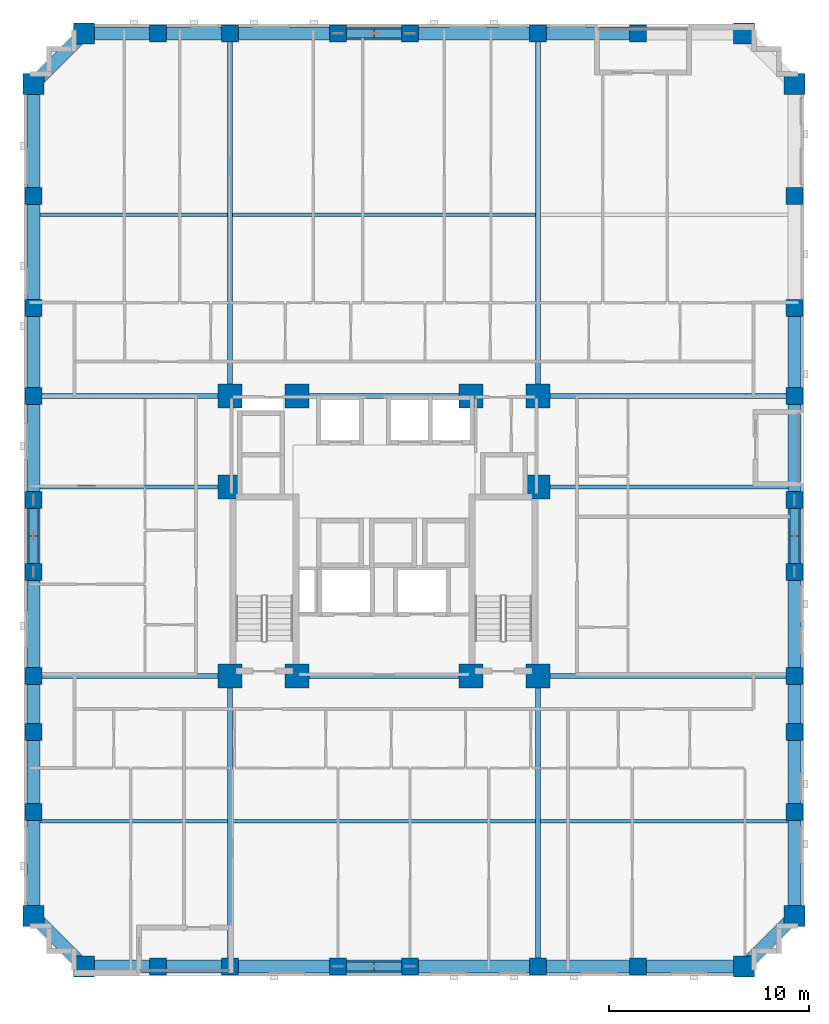
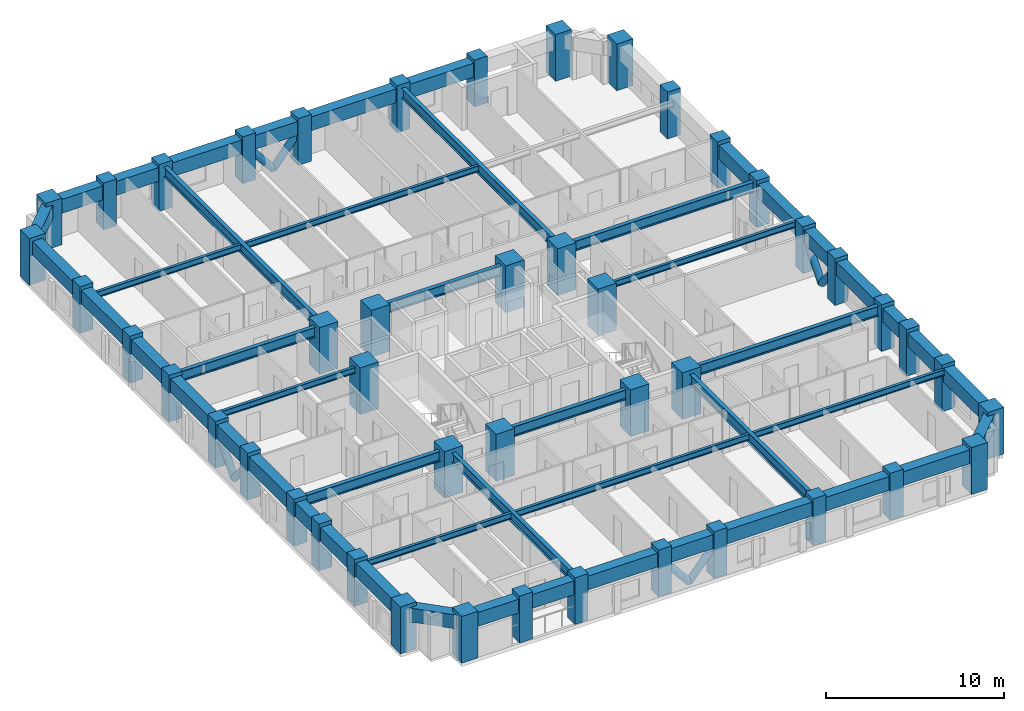
# One storey, part 1 of 14: 49 beams, 46 columns, 8 members.
"""IFC4 building model written with IfcOpenShell, lengths in metres."""

from ifc_helpers import new_model, si_unit, derived_unit, direction, frame, origin, origin_2d, place, context, subcontext, project, spatial, rectangle, hollow_circle, i_section, extrude, material, material_profile, profile_set, type_object, element, save


model = new_model("IFC4")

# Units and contexts
model_context = context("Model", 3, precision=1e-05, world=origin(), true_north=direction((0.0, 1.0)))
body_context = subcontext(model_context, "Body", "Model", "MODEL_VIEW")
ifc_project = project(units=[si_unit("LENGTHUNIT", "METRE"), si_unit("AREAUNIT", "SQUARE_METRE"), si_unit("VOLUMEUNIT", "CUBIC_METRE"), si_unit("PLANEANGLEUNIT", "RADIAN"), si_unit("MASSUNIT", "GRAM", prefix="KILO"), derived_unit("THERMALTRANSMITTANCEUNIT", [(si_unit("MASSUNIT", "GRAM", prefix="KILO"), 1), (si_unit("TIMEUNIT", "SECOND"), -3), (si_unit("THERMODYNAMICTEMPERATUREUNIT", "KELVIN"), -1)])], contexts=[model_context])

# Site, building, storey
site_placement = place(None, origin())
site = spatial("IfcSite", under=ifc_project, at=site_placement, CompositionType="ELEMENT")
building_placement = place(site_placement, origin())
building = spatial("IfcBuilding", under=site, at=building_placement, Name="Korrvale Station Residences", CompositionType="ELEMENT")
storey_placement = place(building_placement, frame((0.0, 0.0, 51.39990234375)))
storey = spatial("IfcBuildingStorey", under=building, at=storey_placement, Name="L13", CompositionType="ELEMENT", Elevation=51.39990234375)

# Columns
ifc_material_1 = material(Name="Concrete C70/85", Category="concrete")
ifc_material_profile_1 = material_profile(ifc_material_1, rectangle(XDim=1.050048828125, YDim=1.050048828125, at=origin_2d()), Name="RC1050x1050")
ifc_profile_set_1 = profile_set([ifc_material_profile_1], Name="Concrete C70/85")
column_type_1 = type_object("IfcColumnType", Name="COL-C-RC1050x1050-C7085", PredefinedType="COLUMN", material=ifc_profile_set_1)
for number, where, z_axis, x_axis, name in (
    (1, (10.5, 0.47998046875, 0.0), (0.0, 0.0, 1.0), (1.0, 0.0, 0.0), "L13 Bundled-Tube South Column 01"),
    (2, (43.5, 0.47998046875, 0.0), (0.0, 0.0, 1.0), (1.0, 0.0, 0.0), "L13 Bundled-Tube South Column 08"),
    (3, (10.5, 47.1201171875, 0.0), (0.0, 0.0, 1.0), (1.0, 0.0, 0.0), "L13 Bundled-Tube North Column 09"),
    (4, (43.5, 47.1201171875, 0.0), (0.0, 0.0, 1.0), (1.0, 0.0, 0.0), "L13 Bundled-Tube North Column 16"),
    (5, (7.97998046875, 3.0, 0.0), (0.0, 0.0, 1.0), (1.0, 0.0, 0.0), "L13 Bundled-Tube West Column 17"),
    (6, (7.97998046875, 44.60009765625, 0.0), (0.0, 0.0, 1.0), (1.0, 0.0, 0.0), "L13 Bundled-Tube West Column 26"),
    (7, (46.02001953125, 3.0, 0.0), (0.0, 0.0, 1.0), (1.0, 0.0, 0.0), "L13 Bundled-Tube East Column 27"),
    (8, (46.02001953125, 44.60009765625, 0.0), (0.0, 0.0, 1.0), (1.0, 0.0, 0.0), "L13 Bundled-Tube East Column 36"),
):
    element("IfcColumn", number, at=place(storey_placement, frame(where, z_axis=z_axis, x_axis=x_axis)), inside=storey, type_object=column_type_1, Name=name, PredefinedType="COLUMN", context=body_context, shape_type="SweptSolid", body=[
        extrude(rectangle(XDim=1.050048828125, YDim=1.050048828125, at=origin_2d()), origin(), (0.0, 0.0, 1.0), 3.2001953125),
    ])
ifc_material_profile_2 = material_profile(ifc_material_1, rectangle(XDim=1.199951171875, YDim=1.199951171875, at=origin_2d()), Name="RC1200x1200")
ifc_profile_set_2 = profile_set([ifc_material_profile_2], Name="Concrete C70/85")
column_type_2 = type_object("IfcColumnType", Name="COL-C-RC1200x1200-C7085", PredefinedType="COLUMN", material=ifc_profile_set_2)
for number, where, z_axis, x_axis, name in (
    (9, (17.800048828125, 15.0, 0.0), (0.0, 0.0, 1.0), (1.0, 0.0, 0.0), "L13 Core Column 01"),
    (10, (21.14990234375, 15.0, 0.0), (0.0, 0.0, 1.0), (1.0, 0.0, 0.0), "L13 Core Column 02"),
    (11, (29.85009765625, 15.0, 0.0), (0.0, 0.0, 1.0), (1.0, 0.0, 0.0), "L13 Core Column 03"),
    (12, (33.199951171875, 15.0, 0.0), (0.0, 0.0, 1.0), (1.0, 0.0, 0.0), "L13 Core Column 04"),
    (13, (17.800048828125, 29.0, 0.0), (0.0, 0.0, 1.0), (1.0, 0.0, 0.0), "L13 Core Column 05"),
    (14, (21.14990234375, 29.0, 0.0), (0.0, 0.0, 1.0), (1.0, 0.0, 0.0), "L13 Core Column 06"),
    (15, (29.85009765625, 29.0, 0.0), (0.0, 0.0, 1.0), (1.0, 0.0, 0.0), "L13 Core Column 07"),
    (16, (33.199951171875, 29.0, 0.0), (0.0, 0.0, 1.0), (1.0, 0.0, 0.0), "L13 Core Column 08"),
    (17, (17.800048828125, 24.449951171875, 0.0), (0.0, 0.0, 1.0), (1.0, 0.0, 0.0), "L13 Core Column 09"),
    (18, (33.199951171875, 24.449951171875, 0.0), (0.0, 0.0, 1.0), (1.0, 0.0, 0.0), "L13 Core Column 10"),
):
    element("IfcColumn", number, at=place(storey_placement, frame(where, z_axis=z_axis, x_axis=x_axis)), inside=storey, type_object=column_type_2, Name=name, PredefinedType="COLUMN", context=body_context, shape_type="SweptSolid", body=[
        extrude(rectangle(XDim=1.199951171875, YDim=1.199951171875, at=origin_2d()), origin(), (0.0, 0.0, 1.0), 3.2001953125),
    ])
ifc_material_profile_3 = material_profile(ifc_material_1, rectangle(XDim=0.85009765625, YDim=0.85009765625, at=origin_2d()), Name="RC850x850")
ifc_profile_set_3 = profile_set([ifc_material_profile_3], Name="Concrete C70/85")
column_type_3 = type_object("IfcColumnType", Name="COL-C-RC850x850-C7085", PredefinedType="COLUMN", material=ifc_profile_set_3)
for number, where, z_axis, x_axis, name in (
    (19, (14.199951171875, 0.47998046875, 0.0), (0.0, 0.0, 1.0), (1.0, 0.0, 0.0), "L13 Bundled-Tube South Column 02"),
    (20, (17.800048828125, 0.47998046875, 0.0), (0.0, 0.0, 1.0), (1.0, 0.0, 0.0), "L13 Bundled-Tube South Column 03"),
    (21, (23.199951171875, 0.47998046875, 0.0), (0.0, 0.0, 1.0), (1.0, 0.0, 0.0), "L13 Bundled-Tube South Column 04"),
    (22, (26.800048828125, 0.47998046875, 0.0), (0.0, 0.0, 1.0), (1.0, 0.0, 0.0), "L13 Bundled-Tube South Column 05"),
    (23, (33.199951171875, 0.47998046875, 0.0), (0.0, 0.0, 1.0), (1.0, 0.0, 0.0), "L13 Bundled-Tube South Column 06"),
    (24, (38.199951171875, 0.47998046875, 0.0), (0.0, 0.0, 1.0), (1.0, 0.0, 0.0), "L13 Bundled-Tube South Column 07"),
    (25, (14.199951171875, 47.1201171875, 0.0), (0.0, 0.0, 1.0), (1.0, 0.0, 0.0), "L13 Bundled-Tube North Column 10"),
    (26, (17.800048828125, 47.1201171875, 0.0), (0.0, 0.0, 1.0), (1.0, 0.0, 0.0), "L13 Bundled-Tube North Column 11"),
    (27, (23.199951171875, 47.1201171875, 0.0), (0.0, 0.0, 1.0), (1.0, 0.0, 0.0), "L13 Bundled-Tube North Column 12"),
    (28, (26.800048828125, 47.1201171875, 0.0), (0.0, 0.0, 1.0), (1.0, 0.0, 0.0), "L13 Bundled-Tube North Column 13"),
    (29, (33.199951171875, 47.1201171875, 0.0), (0.0, 0.0, 1.0), (1.0, 0.0, 0.0), "L13 Bundled-Tube North Column 14"),
    (30, (38.199951171875, 47.1201171875, 0.0), (0.0, 0.0, 1.0), (1.0, 0.0, 0.0), "L13 Bundled-Tube North Column 15"),
    (31, (7.97998046875, 8.199951171875, 0.0), (0.0, 0.0, 1.0), (1.0, 0.0, 0.0), "L13 Bundled-Tube West Column 18"),
    (32, (7.97998046875, 12.199951171875, 0.0), (0.0, 0.0, 1.0), (1.0, 0.0, 0.0), "L13 Bundled-Tube West Column 19"),
    (33, (7.97998046875, 15.0, 0.0), (0.0, 0.0, 1.0), (1.0, 0.0, 0.0), "L13 Bundled-Tube West Column 20"),
    (34, (7.97998046875, 20.199951171875, 0.0), (0.0, 0.0, 1.0), (1.0, 0.0, 0.0), "L13 Bundled-Tube West Column 21"),
    (35, (7.97998046875, 23.800048828125, 0.0), (0.0, 0.0, 1.0), (1.0, 0.0, 0.0), "L13 Bundled-Tube West Column 22"),
    (36, (7.97998046875, 29.0, 0.0), (0.0, 0.0, 1.0), (1.0, 0.0, 0.0), "L13 Bundled-Tube West Column 23"),
    (37, (7.97998046875, 33.39990234375, 0.0), (0.0, 0.0, 1.0), (1.0, 0.0, 0.0), "L13 Bundled-Tube West Column 24"),
    (38, (7.97998046875, 39.0, 0.0), (0.0, 0.0, 1.0), (1.0, 0.0, 0.0), "L13 Bundled-Tube West Column 25"),
    (39, (46.02001953125, 8.199951171875, 0.0), (0.0, 0.0, 1.0), (1.0, 0.0, 0.0), "L13 Bundled-Tube East Column 28"),
    (40, (46.02001953125, 12.199951171875, 0.0), (0.0, 0.0, 1.0), (1.0, 0.0, 0.0), "L13 Bundled-Tube East Column 29"),
    (41, (46.02001953125, 15.0, 0.0), (0.0, 0.0, 1.0), (1.0, 0.0, 0.0), "L13 Bundled-Tube East Column 30"),
    (42, (46.02001953125, 20.199951171875, 0.0), (0.0, 0.0, 1.0), (1.0, 0.0, 0.0), "L13 Bundled-Tube East Column 31"),
    (43, (46.02001953125, 23.800048828125, 0.0), (0.0, 0.0, 1.0), (1.0, 0.0, 0.0), "L13 Bundled-Tube East Column 32"),
    (44, (46.02001953125, 29.0, 0.0), (0.0, 0.0, 1.0), (1.0, 0.0, 0.0), "L13 Bundled-Tube East Column 33"),
    (45, (46.02001953125, 33.39990234375, 0.0), (0.0, 0.0, 1.0), (1.0, 0.0, 0.0), "L13 Bundled-Tube East Column 34"),
    (46, (46.02001953125, 39.0, 0.0), (0.0, 0.0, 1.0), (1.0, 0.0, 0.0), "L13 Bundled-Tube East Column 35"),
):
    element("IfcColumn", number, at=place(storey_placement, frame(where, z_axis=z_axis, x_axis=x_axis)), inside=storey, type_object=column_type_3, Name=name, PredefinedType="COLUMN", context=body_context, shape_type="SweptSolid", body=[
        extrude(rectangle(XDim=0.85009765625, YDim=0.85009765625, at=origin_2d()), origin(), (0.0, 0.0, 1.0), 3.2001953125),
    ])

# Beams
ifc_material_2 = material(Name="Steel S355", Category="steel")
ifc_material_profile_4 = material_profile(ifc_material_2, i_section(OverallWidth=0.256103515625, OverallDepth=0.693115234375, WebThickness=0.014404296875, FlangeThickness=0.023681640625, FilletRadius=0.02197265625, at=origin_2d()), Name="W690x170")
ifc_profile_set_4 = profile_set([ifc_material_profile_4], Name="Steel S355")
beam_type_1 = type_object("IfcBeamType", Name="BM-BM-W690x170-S355", PredefinedType="BEAM", material=ifc_profile_set_4)
for number, where, z_axis, x_axis, name in (
    (47, (17.800048828125, 0.47998046875, 2.593505859375), (0.0, 1.0, 0.0), (-1.0, 0.0, 0.0), "L13 Bundled-Tube Web Girder 01"),
    (48, (33.199951171875, 0.47998046875, 2.593505859375), (0.0, 1.0, 0.0), (-1.0, 0.0, 0.0), "L13 Bundled-Tube Web Girder 02"),
):
    element("IfcBeam", number, at=place(storey_placement, frame(where, z_axis=z_axis, x_axis=x_axis)), inside=storey, type_object=beam_type_1, Name=name, PredefinedType="BEAM", context=body_context, shape_type="SweptSolid", body=[
        extrude(i_section(OverallWidth=0.256103515625, OverallDepth=0.693115234375, WebThickness=0.014404296875, FlangeThickness=0.023681640625, FilletRadius=0.02197265625, at=origin_2d()), origin(), (0.0, 0.0, 1.0), 14.52001953125),
    ])
for number, where, z_axis, x_axis, name in (
    (49, (17.800048828125, 29.0, 2.593505859375), (0.0, 1.0, 0.0), (-1.0, 0.0, 0.0), "L13 Bundled-Tube Web Girder 03"),
    (50, (33.199951171875, 29.0, 2.593505859375), (0.0, 1.0, 0.0), (-1.0, 0.0, 0.0), "L13 Bundled-Tube Web Girder 04"),
):
    element("IfcBeam", number, at=place(storey_placement, frame(where, z_axis=z_axis, x_axis=x_axis)), inside=storey, type_object=beam_type_1, Name=name, PredefinedType="BEAM", context=body_context, shape_type="SweptSolid", body=[
        extrude(i_section(OverallWidth=0.256103515625, OverallDepth=0.693115234375, WebThickness=0.014404296875, FlangeThickness=0.023681640625, FilletRadius=0.02197265625, at=origin_2d()), origin(), (0.0, 0.0, 1.0), 18.1201171875),
    ])
beam_1_placement = place(storey_placement, frame((7.97998046875, 15.0, 2.593505859375), z_axis=(1.0, 0.0, 0.0), x_axis=(0.0, 1.0, 0.0)))
element("IfcBeam", 51, at=beam_1_placement, inside=storey, type_object=beam_type_1, Name="L13 Bundled-Tube Web Girder 05", PredefinedType="BEAM", context=body_context, shape_type="SweptSolid", body=[
    extrude(i_section(OverallWidth=0.256103515625, OverallDepth=0.693115234375, WebThickness=0.014404296875, FlangeThickness=0.023681640625, FilletRadius=0.02197265625, at=origin_2d()), origin(), (0.0, 0.0, 1.0), 9.820068359375),
])
beam_2_placement = place(storey_placement, frame((33.199951171875, 15.0, 2.593505859375), z_axis=(1.0, 0.0, 0.0), x_axis=(0.0, 1.0, 0.0)))
element("IfcBeam", 52, at=beam_2_placement, inside=storey, type_object=beam_type_1, Name="L13 Bundled-Tube Web Girder 06", PredefinedType="BEAM", context=body_context, shape_type="SweptSolid", body=[
    extrude(i_section(OverallWidth=0.256103515625, OverallDepth=0.693115234375, WebThickness=0.014404296875, FlangeThickness=0.023681640625, FilletRadius=0.02197265625, at=origin_2d()), origin(), (0.0, 0.0, 1.0), 12.820068359375),
])
beam_3_placement = place(storey_placement, frame((7.97998046875, 29.0, 2.593505859375), z_axis=(1.0, 0.0, 0.0), x_axis=(0.0, 1.0, 0.0)))
element("IfcBeam", 53, at=beam_3_placement, inside=storey, type_object=beam_type_1, Name="L13 Bundled-Tube Web Girder 07", PredefinedType="BEAM", context=body_context, shape_type="SweptSolid", body=[
    extrude(i_section(OverallWidth=0.256103515625, OverallDepth=0.693115234375, WebThickness=0.014404296875, FlangeThickness=0.023681640625, FilletRadius=0.02197265625, at=origin_2d()), origin(), (0.0, 0.0, 1.0), 9.820068359375),
])
beam_4_placement = place(storey_placement, frame((33.199951171875, 29.0, 2.593505859375), z_axis=(1.0, 0.0, 0.0), x_axis=(0.0, 1.0, 0.0)))
element("IfcBeam", 54, at=beam_4_placement, inside=storey, type_object=beam_type_1, Name="L13 Bundled-Tube Web Girder 08", PredefinedType="BEAM", context=body_context, shape_type="SweptSolid", body=[
    extrude(i_section(OverallWidth=0.256103515625, OverallDepth=0.693115234375, WebThickness=0.014404296875, FlangeThickness=0.023681640625, FilletRadius=0.02197265625, at=origin_2d()), origin(), (0.0, 0.0, 1.0), 12.820068359375),
])
for number, where, z_axis, x_axis, name in (
    (55, (21.14990234375, 15.0, 2.593505859375), (1.0, 0.0, 0.0), (0.0, 1.0, 0.0), "L13 Bundled-Tube Web Girder 09"),
    (56, (21.14990234375, 29.0, 2.593505859375), (1.0, 0.0, 0.0), (0.0, 1.0, 0.0), "L13 Bundled-Tube Web Girder 10"),
):
    element("IfcBeam", number, at=place(storey_placement, frame(where, z_axis=z_axis, x_axis=x_axis)), inside=storey, type_object=beam_type_1, Name=name, PredefinedType="BEAM", context=body_context, shape_type="SweptSolid", body=[
        extrude(i_section(OverallWidth=0.256103515625, OverallDepth=0.693115234375, WebThickness=0.014404296875, FlangeThickness=0.023681640625, FilletRadius=0.02197265625, at=origin_2d()), origin(), (0.0, 0.0, 1.0), 8.7001953125),
    ])
ifc_material_profile_5 = material_profile(ifc_material_2, i_section(OverallWidth=0.180908203125, OverallDepth=0.4169921875, WebThickness=0.010986328125, FlangeThickness=0.018310546875, FilletRadius=0.01611328125, at=origin_2d()), Name="W410x85")
ifc_profile_set_5 = profile_set([ifc_material_profile_5], Name="Steel S355")
beam_type_2 = type_object("IfcBeamType", Name="BM-JST-W410x85-S355", PredefinedType="JOIST", material=ifc_profile_set_5)
beam_5_placement = place(storey_placement, frame((8.304931640625, 7.739990234375, 2.731689453125), z_axis=(1.0, 0.0, 0.0), x_axis=(0.0, 1.0, 0.0)))
element("IfcBeam", 57, at=beam_5_placement, inside=storey, type_object=beam_type_2, Name="L13 Floor Framing Joist 01", PredefinedType="JOIST", context=body_context, shape_type="SweptSolid", body=[
    extrude(i_section(OverallWidth=0.180908203125, OverallDepth=0.4169921875, WebThickness=0.010986328125, FlangeThickness=0.018310546875, FilletRadius=0.01611328125, at=origin_2d()), origin(), (0.0, 0.0, 1.0), 9.3671875),
])
beam_6_placement = place(storey_placement, frame((17.927978515625, 7.739990234375, 2.731689453125), z_axis=(1.0, 0.0, 0.0), x_axis=(0.0, 1.0, 0.0)))
element("IfcBeam", 58, at=beam_6_placement, inside=storey, type_object=beam_type_2, Name="L13 Floor Framing Joist 02", PredefinedType="JOIST", context=body_context, shape_type="SweptSolid", body=[
    extrude(i_section(OverallWidth=0.180908203125, OverallDepth=0.4169921875, WebThickness=0.010986328125, FlangeThickness=0.018310546875, FilletRadius=0.01611328125, at=origin_2d()), origin(), (0.0, 0.0, 1.0), 15.14404296875),
])
beam_7_placement = place(storey_placement, frame((33.327880859375, 7.739990234375, 2.731689453125), z_axis=(1.0, 0.0, 0.0), x_axis=(0.0, 1.0, 0.0)))
element("IfcBeam", 59, at=beam_7_placement, inside=storey, type_object=beam_type_2, Name="L13 Floor Framing Joist 03", PredefinedType="JOIST", context=body_context, shape_type="SweptSolid", body=[
    extrude(i_section(OverallWidth=0.180908203125, OverallDepth=0.4169921875, WebThickness=0.010986328125, FlangeThickness=0.018310546875, FilletRadius=0.01611328125, at=origin_2d()), origin(), (0.0, 0.0, 1.0), 12.3671875),
])
beam_8_placement = place(storey_placement, frame((8.304931640625, 38.06005859375, 2.731689453125), z_axis=(1.0, 0.0, 0.0), x_axis=(0.0, 1.0, 0.0)))
element("IfcBeam", 60, at=beam_8_placement, inside=storey, type_object=beam_type_2, Name="L13 Floor Framing Joist 04", PredefinedType="JOIST", context=body_context, shape_type="SweptSolid", body=[
    extrude(i_section(OverallWidth=0.180908203125, OverallDepth=0.4169921875, WebThickness=0.010986328125, FlangeThickness=0.018310546875, FilletRadius=0.01611328125, at=origin_2d()), origin(), (0.0, 0.0, 1.0), 9.3671875),
])
beam_9_placement = place(storey_placement, frame((17.927978515625, 38.06005859375, 2.731689453125), z_axis=(1.0, 0.0, 0.0), x_axis=(0.0, 1.0, 0.0)))
element("IfcBeam", 61, at=beam_9_placement, inside=storey, type_object=beam_type_2, Name="L13 Floor Framing Joist 05", PredefinedType="JOIST", context=body_context, shape_type="SweptSolid", body=[
    extrude(i_section(OverallWidth=0.180908203125, OverallDepth=0.4169921875, WebThickness=0.010986328125, FlangeThickness=0.018310546875, FilletRadius=0.01611328125, at=origin_2d()), origin(), (0.0, 0.0, 1.0), 15.14404296875),
])
beam_10_placement = place(storey_placement, frame((33.199951171875, 24.449951171875, 2.731689453125), z_axis=(1.0, 0.0, 0.0), x_axis=(0.0, 1.0, 0.0)))
element("IfcBeam", 62, at=beam_10_placement, inside=storey, type_object=beam_type_2, Name="L13 Floor Framing Joist 07", PredefinedType="JOIST", context=body_context, shape_type="SweptSolid", body=[
    extrude(i_section(OverallWidth=0.180908203125, OverallDepth=0.4169921875, WebThickness=0.010986328125, FlangeThickness=0.018310546875, FilletRadius=0.01611328125, at=origin_2d()), origin(), (0.0, 0.0, 1.0), 12.4951171875),
])
beam_11_placement = place(storey_placement, frame((8.304931640625, 24.449951171875, 2.731689453125), z_axis=(1.0, 0.0, 0.0), x_axis=(0.0, 1.0, 0.0)))
element("IfcBeam", 63, at=beam_11_placement, inside=storey, type_object=beam_type_2, Name="L13 Floor Framing Joist 08", PredefinedType="JOIST", context=body_context, shape_type="SweptSolid", body=[
    extrude(i_section(OverallWidth=0.180908203125, OverallDepth=0.4169921875, WebThickness=0.010986328125, FlangeThickness=0.018310546875, FilletRadius=0.01611328125, at=origin_2d()), origin(), (0.0, 0.0, 1.0), 9.4951171875),
])
ifc_material_profile_6 = material_profile(ifc_material_1, rectangle(XDim=0.64990234375, YDim=0.949951171875, at=origin_2d()), Name="RCB650x950")
ifc_profile_set_6 = profile_set([ifc_material_profile_6], Name="Concrete C70/85")
beam_type_3 = type_object("IfcBeamType", Name="BM-SPB-RCB650x950-C7085", PredefinedType="SPANDREL", material=ifc_profile_set_6)
beam_12_placement = place(storey_placement, frame((10.5, 0.47998046875, 2.465087890625), z_axis=(1.0, 0.0, 0.0), x_axis=(0.0, 1.0, 0.0)))
element("IfcBeam", 64, at=beam_12_placement, inside=storey, type_object=beam_type_3, Name="L13 South Tube Spandrel 01", PredefinedType="SPANDREL", context=body_context, shape_type="SweptSolid", body=[
    extrude(rectangle(XDim=0.64990234375, YDim=0.949951171875, at=origin_2d()), origin(), (0.0, 0.0, 1.0), 3.699951171875),
])
beam_13_placement = place(storey_placement, frame((14.199951171875, 0.47998046875, 2.465087890625), z_axis=(1.0, 0.0, 0.0), x_axis=(0.0, 1.0, 0.0)))
element("IfcBeam", 65, at=beam_13_placement, inside=storey, type_object=beam_type_3, Name="L13 South Tube Spandrel 02", PredefinedType="SPANDREL", context=body_context, shape_type="SweptSolid", body=[
    extrude(rectangle(XDim=0.64990234375, YDim=0.949951171875, at=origin_2d()), origin(), (0.0, 0.0, 1.0), 3.60009765625),
])
beam_14_placement = place(storey_placement, frame((17.800048828125, 0.47998046875, 2.465087890625), z_axis=(1.0, 0.0, 0.0), x_axis=(0.0, 1.0, 0.0)))
element("IfcBeam", 66, at=beam_14_placement, inside=storey, type_object=beam_type_3, Name="L13 South Tube Spandrel 03", PredefinedType="SPANDREL", context=body_context, shape_type="SweptSolid", body=[
    extrude(rectangle(XDim=0.64990234375, YDim=0.949951171875, at=origin_2d()), origin(), (0.0, 0.0, 1.0), 5.39990234375),
])
beam_15_placement = place(storey_placement, frame((23.199951171875, 0.47998046875, 2.465087890625), z_axis=(1.0, 0.0, 0.0), x_axis=(0.0, 1.0, 0.0)))
element("IfcBeam", 67, at=beam_15_placement, inside=storey, type_object=beam_type_3, Name="L13 South Tube Spandrel 04", PredefinedType="SPANDREL", context=body_context, shape_type="SweptSolid", body=[
    extrude(rectangle(XDim=0.64990234375, YDim=0.949951171875, at=origin_2d()), origin(), (0.0, 0.0, 1.0), 3.60009765625),
])
beam_16_placement = place(storey_placement, frame((26.800048828125, 0.47998046875, 2.465087890625), z_axis=(1.0, 0.0, 0.0), x_axis=(0.0, 1.0, 0.0)))
element("IfcBeam", 68, at=beam_16_placement, inside=storey, type_object=beam_type_3, Name="L13 South Tube Spandrel 05", PredefinedType="SPANDREL", context=body_context, shape_type="SweptSolid", body=[
    extrude(rectangle(XDim=0.64990234375, YDim=0.949951171875, at=origin_2d()), origin(), (0.0, 0.0, 1.0), 6.39990234375),
])
beam_17_placement = place(storey_placement, frame((33.199951171875, 0.47998046875, 2.465087890625), z_axis=(1.0, 0.0, 0.0), x_axis=(0.0, 1.0, 0.0)))
element("IfcBeam", 69, at=beam_17_placement, inside=storey, type_object=beam_type_3, Name="L13 South Tube Spandrel 06", PredefinedType="SPANDREL", context=body_context, shape_type="SweptSolid", body=[
    extrude(rectangle(XDim=0.64990234375, YDim=0.949951171875, at=origin_2d()), origin(), (0.0, 0.0, 1.0), 5.0),
])
beam_18_placement = place(storey_placement, frame((38.199951171875, 0.47998046875, 2.465087890625), z_axis=(1.0, 0.0, 0.0), x_axis=(0.0, 1.0, 0.0)))
element("IfcBeam", 70, at=beam_18_placement, inside=storey, type_object=beam_type_3, Name="L13 South Tube Spandrel 07", PredefinedType="SPANDREL", context=body_context, shape_type="SweptSolid", body=[
    extrude(rectangle(XDim=0.64990234375, YDim=0.949951171875, at=origin_2d()), origin(), (0.0, 0.0, 1.0), 5.300048828125),
])
beam_19_placement = place(storey_placement, frame((10.5, 47.1201171875, 2.465087890625), z_axis=(1.0, 0.0, 0.0), x_axis=(0.0, 1.0, 0.0)))
element("IfcBeam", 71, at=beam_19_placement, inside=storey, type_object=beam_type_3, Name="L13 North Tube Spandrel 08", PredefinedType="SPANDREL", context=body_context, shape_type="SweptSolid", body=[
    extrude(rectangle(XDim=0.64990234375, YDim=0.949951171875, at=origin_2d()), origin(), (0.0, 0.0, 1.0), 3.699951171875),
])
beam_20_placement = place(storey_placement, frame((14.199951171875, 47.1201171875, 2.465087890625), z_axis=(1.0, 0.0, 0.0), x_axis=(0.0, 1.0, 0.0)))
element("IfcBeam", 72, at=beam_20_placement, inside=storey, type_object=beam_type_3, Name="L13 North Tube Spandrel 09", PredefinedType="SPANDREL", context=body_context, shape_type="SweptSolid", body=[
    extrude(rectangle(XDim=0.64990234375, YDim=0.949951171875, at=origin_2d()), origin(), (0.0, 0.0, 1.0), 3.60009765625),
])
beam_21_placement = place(storey_placement, frame((17.800048828125, 47.1201171875, 2.465087890625), z_axis=(1.0, 0.0, 0.0), x_axis=(0.0, 1.0, 0.0)))
element("IfcBeam", 73, at=beam_21_placement, inside=storey, type_object=beam_type_3, Name="L13 North Tube Spandrel 10", PredefinedType="SPANDREL", context=body_context, shape_type="SweptSolid", body=[
    extrude(rectangle(XDim=0.64990234375, YDim=0.949951171875, at=origin_2d()), origin(), (0.0, 0.0, 1.0), 5.39990234375),
])
beam_22_placement = place(storey_placement, frame((23.199951171875, 47.1201171875, 2.465087890625), z_axis=(1.0, 0.0, 0.0), x_axis=(0.0, 1.0, 0.0)))
element("IfcBeam", 74, at=beam_22_placement, inside=storey, type_object=beam_type_3, Name="L13 North Tube Spandrel 11", PredefinedType="SPANDREL", context=body_context, shape_type="SweptSolid", body=[
    extrude(rectangle(XDim=0.64990234375, YDim=0.949951171875, at=origin_2d()), origin(), (0.0, 0.0, 1.0), 3.60009765625),
])
beam_23_placement = place(storey_placement, frame((26.800048828125, 47.1201171875, 2.465087890625), z_axis=(1.0, 0.0, 0.0), x_axis=(0.0, 1.0, 0.0)))
element("IfcBeam", 75, at=beam_23_placement, inside=storey, type_object=beam_type_3, Name="L13 North Tube Spandrel 12", PredefinedType="SPANDREL", context=body_context, shape_type="SweptSolid", body=[
    extrude(rectangle(XDim=0.64990234375, YDim=0.949951171875, at=origin_2d()), origin(), (0.0, 0.0, 1.0), 6.39990234375),
])
beam_24_placement = place(storey_placement, frame((33.199951171875, 47.1201171875, 2.465087890625), z_axis=(1.0, 0.0, 0.0), x_axis=(0.0, 1.0, 0.0)))
element("IfcBeam", 76, at=beam_24_placement, inside=storey, type_object=beam_type_3, Name="L13 North Tube Spandrel 13", PredefinedType="SPANDREL", context=body_context, shape_type="SweptSolid", body=[
    extrude(rectangle(XDim=0.64990234375, YDim=0.949951171875, at=origin_2d()), origin(), (0.0, 0.0, 1.0), 5.0),
])
beam_25_placement = place(storey_placement, frame((7.97998046875, 3.0, 2.465087890625), z_axis=(0.0, 1.0, 0.0), x_axis=(-1.0, 0.0, 0.0)))
element("IfcBeam", 77, at=beam_25_placement, inside=storey, type_object=beam_type_3, Name="L13 West Tube Spandrel 15", PredefinedType="SPANDREL", context=body_context, shape_type="SweptSolid", body=[
    extrude(rectangle(XDim=0.64990234375, YDim=0.949951171875, at=origin_2d()), origin(), (0.0, 0.0, 1.0), 5.199951171875),
])
beam_26_placement = place(storey_placement, frame((7.97998046875, 8.199951171875, 2.465087890625), z_axis=(0.0, 1.0, 0.0), x_axis=(-1.0, 0.0, 0.0)))
element("IfcBeam", 78, at=beam_26_placement, inside=storey, type_object=beam_type_3, Name="L13 West Tube Spandrel 16", PredefinedType="SPANDREL", context=body_context, shape_type="SweptSolid", body=[
    extrude(rectangle(XDim=0.64990234375, YDim=0.949951171875, at=origin_2d()), origin(), (0.0, 0.0, 1.0), 4.0),
])
beam_27_placement = place(storey_placement, frame((7.97998046875, 12.199951171875, 2.465087890625), z_axis=(0.0, 1.0, 0.0), x_axis=(-1.0, 0.0, 0.0)))
element("IfcBeam", 79, at=beam_27_placement, inside=storey, type_object=beam_type_3, Name="L13 West Tube Spandrel 17", PredefinedType="SPANDREL", context=body_context, shape_type="SweptSolid", body=[
    extrude(rectangle(XDim=0.64990234375, YDim=0.949951171875, at=origin_2d()), origin(), (0.0, 0.0, 1.0), 2.800048828125),
])
beam_28_placement = place(storey_placement, frame((7.97998046875, 15.0, 2.465087890625), z_axis=(0.0, 1.0, 0.0), x_axis=(-1.0, 0.0, 0.0)))
element("IfcBeam", 80, at=beam_28_placement, inside=storey, type_object=beam_type_3, Name="L13 West Tube Spandrel 18", PredefinedType="SPANDREL", context=body_context, shape_type="SweptSolid", body=[
    extrude(rectangle(XDim=0.64990234375, YDim=0.949951171875, at=origin_2d()), origin(), (0.0, 0.0, 1.0), 5.199951171875),
])
beam_29_placement = place(storey_placement, frame((7.97998046875, 20.199951171875, 2.465087890625), z_axis=(0.0, 1.0, 0.0), x_axis=(-1.0, 0.0, 0.0)))
element("IfcBeam", 81, at=beam_29_placement, inside=storey, type_object=beam_type_3, Name="L13 West Tube Spandrel 19", PredefinedType="SPANDREL", context=body_context, shape_type="SweptSolid", body=[
    extrude(rectangle(XDim=0.64990234375, YDim=0.949951171875, at=origin_2d()), origin(), (0.0, 0.0, 1.0), 3.60009765625),
])
beam_30_placement = place(storey_placement, frame((7.97998046875, 23.800048828125, 2.465087890625), z_axis=(0.0, 1.0, 0.0), x_axis=(-1.0, 0.0, 0.0)))
element("IfcBeam", 82, at=beam_30_placement, inside=storey, type_object=beam_type_3, Name="L13 West Tube Spandrel 20", PredefinedType="SPANDREL", context=body_context, shape_type="SweptSolid", body=[
    extrude(rectangle(XDim=0.64990234375, YDim=0.949951171875, at=origin_2d()), origin(), (0.0, 0.0, 1.0), 5.199951171875),
])
beam_31_placement = place(storey_placement, frame((7.97998046875, 29.0, 2.465087890625), z_axis=(0.0, 1.0, 0.0), x_axis=(-1.0, 0.0, 0.0)))
element("IfcBeam", 83, at=beam_31_placement, inside=storey, type_object=beam_type_3, Name="L13 West Tube Spandrel 21", PredefinedType="SPANDREL", context=body_context, shape_type="SweptSolid", body=[
    extrude(rectangle(XDim=0.64990234375, YDim=0.949951171875, at=origin_2d()), origin(), (0.0, 0.0, 1.0), 4.39990234375),
])
for number, where, z_axis, x_axis, name in (
    (84, (7.97998046875, 33.39990234375, 2.465087890625), (0.0, 1.0, 0.0), (-1.0, 0.0, 0.0), "L13 West Tube Spandrel 22"),
    (85, (7.97998046875, 39.0, 2.465087890625), (0.0, 1.0, 0.0), (-1.0, 0.0, 0.0), "L13 West Tube Spandrel 23"),
):
    element("IfcBeam", number, at=place(storey_placement, frame(where, z_axis=z_axis, x_axis=x_axis)), inside=storey, type_object=beam_type_3, Name=name, PredefinedType="SPANDREL", context=body_context, shape_type="SweptSolid", body=[
        extrude(rectangle(XDim=0.64990234375, YDim=0.949951171875, at=origin_2d()), origin(), (0.0, 0.0, 1.0), 5.60009765625),
    ])
beam_32_placement = place(storey_placement, frame((46.02001953125, 3.0, 2.465087890625), z_axis=(0.0, 1.0, 0.0), x_axis=(-1.0, 0.0, 0.0)))
element("IfcBeam", 86, at=beam_32_placement, inside=storey, type_object=beam_type_3, Name="L13 East Tube Spandrel 24", PredefinedType="SPANDREL", context=body_context, shape_type="SweptSolid", body=[
    extrude(rectangle(XDim=0.64990234375, YDim=0.949951171875, at=origin_2d()), origin(), (0.0, 0.0, 1.0), 5.199951171875),
])
beam_33_placement = place(storey_placement, frame((46.02001953125, 8.199951171875, 2.465087890625), z_axis=(0.0, 1.0, 0.0), x_axis=(-1.0, 0.0, 0.0)))
element("IfcBeam", 87, at=beam_33_placement, inside=storey, type_object=beam_type_3, Name="L13 East Tube Spandrel 25", PredefinedType="SPANDREL", context=body_context, shape_type="SweptSolid", body=[
    extrude(rectangle(XDim=0.64990234375, YDim=0.949951171875, at=origin_2d()), origin(), (0.0, 0.0, 1.0), 4.0),
])
beam_34_placement = place(storey_placement, frame((46.02001953125, 12.199951171875, 2.465087890625), z_axis=(0.0, 1.0, 0.0), x_axis=(-1.0, 0.0, 0.0)))
element("IfcBeam", 88, at=beam_34_placement, inside=storey, type_object=beam_type_3, Name="L13 East Tube Spandrel 26", PredefinedType="SPANDREL", context=body_context, shape_type="SweptSolid", body=[
    extrude(rectangle(XDim=0.64990234375, YDim=0.949951171875, at=origin_2d()), origin(), (0.0, 0.0, 1.0), 2.800048828125),
])
beam_35_placement = place(storey_placement, frame((46.02001953125, 15.0, 2.465087890625), z_axis=(0.0, 1.0, 0.0), x_axis=(-1.0, 0.0, 0.0)))
element("IfcBeam", 89, at=beam_35_placement, inside=storey, type_object=beam_type_3, Name="L13 East Tube Spandrel 27", PredefinedType="SPANDREL", context=body_context, shape_type="SweptSolid", body=[
    extrude(rectangle(XDim=0.64990234375, YDim=0.949951171875, at=origin_2d()), origin(), (0.0, 0.0, 1.0), 5.199951171875),
])
beam_36_placement = place(storey_placement, frame((46.02001953125, 20.199951171875, 2.465087890625), z_axis=(0.0, 1.0, 0.0), x_axis=(-1.0, 0.0, 0.0)))
element("IfcBeam", 90, at=beam_36_placement, inside=storey, type_object=beam_type_3, Name="L13 East Tube Spandrel 28", PredefinedType="SPANDREL", context=body_context, shape_type="SweptSolid", body=[
    extrude(rectangle(XDim=0.64990234375, YDim=0.949951171875, at=origin_2d()), origin(), (0.0, 0.0, 1.0), 3.60009765625),
])
beam_37_placement = place(storey_placement, frame((46.02001953125, 23.800048828125, 2.465087890625), z_axis=(0.0, 1.0, 0.0), x_axis=(-1.0, 0.0, 0.0)))
element("IfcBeam", 91, at=beam_37_placement, inside=storey, type_object=beam_type_3, Name="L13 East Tube Spandrel 29", PredefinedType="SPANDREL", context=body_context, shape_type="SweptSolid", body=[
    extrude(rectangle(XDim=0.64990234375, YDim=0.949951171875, at=origin_2d()), origin(), (0.0, 0.0, 1.0), 5.199951171875),
])
beam_38_placement = place(storey_placement, frame((46.02001953125, 29.0, 2.465087890625), z_axis=(0.0, 1.0, 0.0), x_axis=(-1.0, 0.0, 0.0)))
element("IfcBeam", 92, at=beam_38_placement, inside=storey, type_object=beam_type_3, Name="L13 East Tube Spandrel 30", PredefinedType="SPANDREL", context=body_context, shape_type="SweptSolid", body=[
    extrude(rectangle(XDim=0.64990234375, YDim=0.949951171875, at=origin_2d()), origin(), (0.0, 0.0, 1.0), 4.39990234375),
])
for number, where, z_axis, x_axis, name in (
    (93, (10.5, 0.47998046875, 2.465087890625), (-0.707106781187, 0.707106781187, 0.0), (-0.707106781187, -0.707106781187, 0.0), "L13 Serrated Corner Spandrel 33"),
    (94, (43.5, 0.47998046875, 2.465087890625), (0.707106781187, 0.707106781187, 0.0), (-0.707106781187, 0.707106781187, 0.0), "L13 Serrated Corner Spandrel 34"),
    (95, (10.5, 47.1201171875, 2.465087890625), (-0.707106781187, -0.707106781187, 0.0), (0.707106781187, -0.707106781187, 0.0), "L13 Serrated Corner Spandrel 36"),
):
    element("IfcBeam", number, at=place(storey_placement, frame(where, z_axis=z_axis, x_axis=x_axis)), inside=storey, type_object=beam_type_3, Name=name, PredefinedType="SPANDREL", context=body_context, shape_type="SweptSolid", body=[
        extrude(rectangle(XDim=0.64990234375, YDim=0.949951171875, at=origin_2d()), origin(), (0.0, 0.0, 1.0), 3.56396484375),
    ])

# Members
ifc_material_profile_7 = material_profile(ifc_material_2, hollow_circle(Radius=0.228515625, WallThickness=0.01904296875, at=origin_2d()), Name="HSS457x19")
ifc_profile_set_7 = profile_set([ifc_material_profile_7], Name="Steel S355")
member_type = type_object("IfcMemberType", Name="MBR-BR-HSS457x19", PredefinedType="BRACE", material=ifc_profile_set_7)
for number, where, z_axis, x_axis, name in (
    (96, (25.0, 0.47998046875, 0.02001953125), (-0.634943249511, 0.0, 0.772558780871), (0.0, -1.0, 0.0), "L13 S Perimeter Tube Wind Brace 1"),
    (97, (25.0, 0.47998046875, 0.02001953125), (0.634943249511, 0.0, 0.772558780871), (0.0, 1.0, 0.0), "L13 S Perimeter Tube Wind Brace 2"),
    (98, (25.0, 47.1201171875, 0.02001953125), (-0.634943249511, 0.0, 0.772558780871), (0.0, -1.0, 0.0), "L13 N Perimeter Tube Wind Brace 1"),
    (99, (25.0, 47.1201171875, 0.02001953125), (0.634943249511, 0.0, 0.772558780871), (0.0, 1.0, 0.0), "L13 N Perimeter Tube Wind Brace 2"),
    (100, (7.97998046875, 22.0, 0.02001953125), (0.0, -0.634943249511, 0.772558780871), (1.0, 0.0, 0.0), "L13 W Perimeter Tube Wind Brace 1"),
    (101, (7.97998046875, 22.0, 0.02001953125), (0.0, 0.634943249511, 0.772558780871), (-1.0, 0.0, 0.0), "L13 W Perimeter Tube Wind Brace 2"),
    (102, (46.02001953125, 22.0, 0.02001953125), (0.0, -0.634943249511, 0.772558780871), (1.0, 0.0, 0.0), "L13 E Perimeter Tube Wind Brace 1"),
    (103, (46.02001953125, 22.0, 0.02001953125), (0.0, 0.634943249511, 0.772558780871), (-1.0, 0.0, 0.0), "L13 E Perimeter Tube Wind Brace 2"),
):
    element("IfcMember", number, at=place(storey_placement, frame(where, z_axis=z_axis, x_axis=x_axis)), inside=storey, type_object=member_type, Name=name, PredefinedType="BRACE", context=body_context, shape_type="SweptSolid", body=[
        extrude(hollow_circle(Radius=0.228515625, WallThickness=0.01904296875, at=origin_2d()), origin(), (0.0, 0.0, 1.0), 2.8349609375),
    ])

save(model, "model.ifc")
